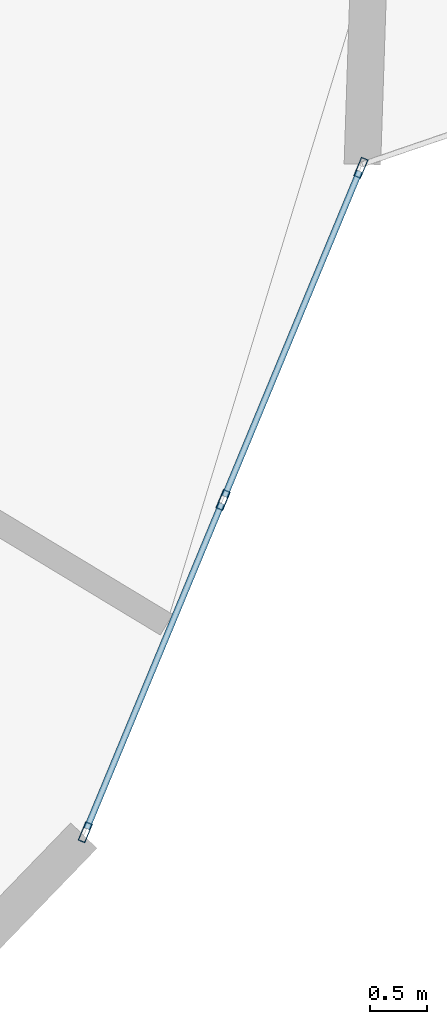
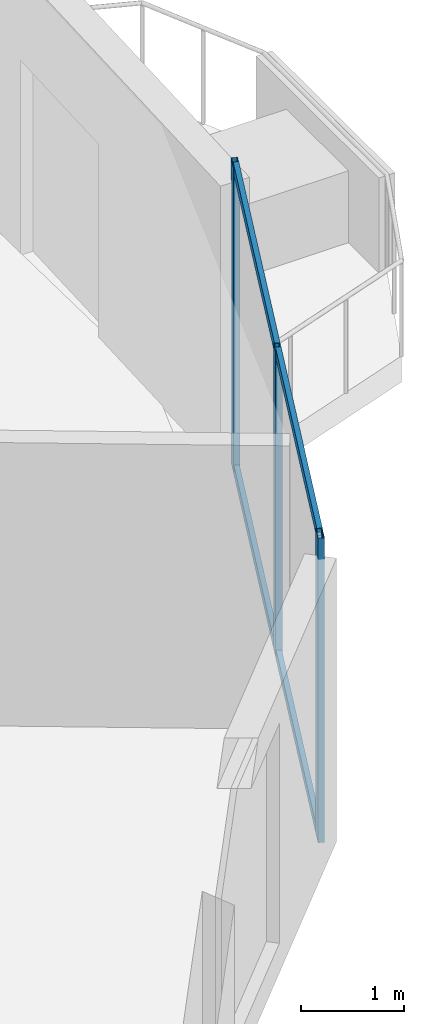
# One storey, part 11 of 26: 7 members, 1 element without a shape of its own.
"""IFC4 building model written with IfcOpenShell, lengths in metres."""

from ifc_helpers import new_model, si_unit, direction, frame, origin, origin_2d, place, context, subcontext, project, spatial, hollow_rectangle, extrude, source, transform, mapped, material, layer, layer_set, material_profile, profile_set, type_object, element, aggregate, save


model = new_model("IFC4")

# Units and contexts
model_context = context("Model", 3, precision=1e-05, world=origin(), true_north=direction((0.0, 1.0)))
body_context = subcontext(model_context, "Body", "Model", "MODEL_VIEW")
ifc_project = project(units=[si_unit("LENGTHUNIT", "METRE"), si_unit("AREAUNIT", "SQUARE_METRE"), si_unit("VOLUMEUNIT", "CUBIC_METRE"), si_unit("PLANEANGLEUNIT", "RADIAN"), si_unit("MASSUNIT", "GRAM", prefix="KILO")], contexts=[model_context])

# Site, building, storey
site_placement = place(None, origin())
site = spatial("IfcSite", under=ifc_project, at=site_placement, CompositionType="ELEMENT")
building_placement = place(site_placement, origin())
building = spatial("IfcBuilding", under=site, at=building_placement, Name="Solvirekh Grand Hotel", CompositionType="ELEMENT")
storey_placement = place(building_placement, frame((0.0, 0.0, 113.39990234375)))
storey = spatial("IfcBuildingStorey", under=building, at=storey_placement, Name="L28", CompositionType="ELEMENT", Elevation=113.39990234375)

# Curtain wall, members
ifc_material = material(Name="Anodized Bronze Aluminium 6063-T6", Category="aluminium")
ifc_layer = layer(ifc_material, 0.175048828125)
ifc_layer_set = layer_set([ifc_layer], Name="Anodized Bronze Aluminium 6063-T6")
curtain_wall_type = type_object("IfcCurtainWallType", Name="CW_Sys3_MidZoneFlushBronzeCW", PredefinedType="NOTDEFINED", material=ifc_layer_set)
curtain_wall_placement = place(storey_placement, origin())
curtain_wall = element("IfcCurtainWall", 1, at=curtain_wall_placement, inside=storey, type_object=curtain_wall_type, Name="L28 unitised bronze-glass curtain wall CW-L28-C01", PredefinedType="NOTDEFINED")
ifc_material_profile_1 = material_profile(ifc_material, hollow_rectangle(XDim=0.054931640625, YDim=0.1201171875, WallThickness=0.00390625, at=origin_2d()), Name="ALU RHS 120X55X4")
ifc_profile_set_1 = profile_set([ifc_material_profile_1], Name="Anodized Bronze Aluminium 6063-T6")
member_type_1 = type_object("IfcMemberType", Name="CWTransom_Sys3", PredefinedType="USERDEFINED", material=ifc_profile_set_1)
shared_shape_1 = source(origin(), body_context, "Body", "SweptSolid", [
    extrude(hollow_rectangle(XDim=0.054931640625, YDim=0.1201171875, WallThickness=0.00390625, at=origin_2d()), origin(), (0.0, 0.0, 1.0), 3.087158203125),
])
member_1_placement = place(storey_placement, frame((19.14794921875, -13.2470703125, 0.027587890625), z_axis=(0.383222387686, 0.923656105689, 0.0), x_axis=(-0.923656105689, 0.383222387686, 0.0)))
member_1 = element("IfcMember", 2, at=member_1_placement, type_object=member_type_1, Name="U03 transom 1.1", ObjectType="TRANSOM", PredefinedType="USERDEFINED", context=body_context, shape_type="MappedRepresentation", body=[
    mapped(shared_shape_1, transform((0.0, 0.0, 0.0), x_axis=(1.0, 0.0, 0.0), y_axis=(0.0, 1.0, 0.0), z_axis=(0.0, 0.0, 1.0), scale=1.0)),
])
member_2_placement = place(storey_placement, frame((19.14794921875, -13.2470703125, 3.572509765625), z_axis=(0.383222387686, 0.923656105689, 0.0), x_axis=(-0.923656105689, 0.383222387686, 0.0)))
member_2 = element("IfcMember", 3, at=member_2_placement, type_object=member_type_1, Name="U03 transom 1.2", ObjectType="TRANSOM", PredefinedType="USERDEFINED", context=body_context, shape_type="MappedRepresentation", body=[
    mapped(shared_shape_1, transform((0.0, 0.0, 0.0), x_axis=(1.0, 0.0, 0.0), y_axis=(0.0, 1.0, 0.0), z_axis=(0.0, 0.0, 1.0), scale=1.0)),
])
ifc_material_profile_2 = material_profile(ifc_material, hollow_rectangle(XDim=0.06494140625, YDim=0.175048828125, WallThickness=0.0048828125, at=origin_2d()), Name="ALU RHS 175X65X5")
ifc_profile_set_2 = profile_set([ifc_material_profile_2], Name="Anodized Bronze Aluminium 6063-T6")
member_type_2 = type_object("IfcMemberType", Name="CWMullion_Sys3", PredefinedType="MULLION", material=ifc_profile_set_2)
shared_shape_2 = source(origin(), body_context, "Body", "SweptSolid", [
    extrude(hollow_rectangle(XDim=0.06494140625, YDim=0.175048828125, WallThickness=0.0048828125, at=origin_2d()), origin(), (0.0, 0.0, 1.0), 3.60009765625),
])
member_3_placement = place(storey_placement, frame((19.135498046875, -13.277099609375, 0.0), z_axis=(0.0, 0.0, 1.0), x_axis=(-0.923647246021, 0.383243740872, 0.0)))
member_3 = element("IfcMember", 4, at=member_3_placement, type_object=member_type_2, Name="U03 mullion 1", PredefinedType="MULLION", context=body_context, shape_type="MappedRepresentation", body=[
    mapped(shared_shape_2, transform((0.0, 0.0, 0.0), x_axis=(1.0, 0.0, 0.0), y_axis=(0.0, 1.0, 0.0), z_axis=(0.0, 0.0, 1.0), scale=1.0)),
])
member_4_placement = place(storey_placement, frame((20.343505859375, -10.365478515625, 0.0), z_axis=(0.0, 0.0, 1.0), x_axis=(-0.923647246021, 0.383243740872, 0.0)))
member_4 = element("IfcMember", 5, at=member_4_placement, type_object=member_type_2, Name="U03 mullion 2", PredefinedType="MULLION", context=body_context, shape_type="MappedRepresentation", body=[
    mapped(shared_shape_2, transform((0.0, 0.0, 0.0), x_axis=(1.0, 0.0, 0.0), y_axis=(0.0, 1.0, 0.0), z_axis=(0.0, 0.0, 1.0), scale=1.0)),
])
member_5_placement = place(storey_placement, frame((21.551513671875, -7.4541015625, 0.0), z_axis=(0.0, 0.0, 1.0), x_axis=(-0.923647246021, 0.383243740872, 0.0)))
member_5 = element("IfcMember", 6, at=member_5_placement, type_object=member_type_2, Name="U03 mullion 3", PredefinedType="MULLION", context=body_context, shape_type="MappedRepresentation", body=[
    mapped(shared_shape_2, transform((0.0, 0.0, 0.0), x_axis=(1.0, 0.0, 0.0), y_axis=(0.0, 1.0, 0.0), z_axis=(0.0, 0.0, 1.0), scale=1.0)),
])
shared_shape_3 = source(origin(), body_context, "Body", "SweptSolid", [
    extrude(hollow_rectangle(XDim=0.054931640625, YDim=0.1201171875, WallThickness=0.00390625, at=origin_2d()), origin(), (0.0, 0.0, 1.0), 3.0869140625),
])
member_6_placement = place(storey_placement, frame((20.35595703125, -10.33544921875, 0.027587890625), z_axis=(0.383250381214, 0.923644490754, 0.0), x_axis=(-0.923644490754, 0.383250381214, 0.0)))
member_6 = element("IfcMember", 7, at=member_6_placement, type_object=member_type_1, Name="U03 transom 2.1", ObjectType="TRANSOM", PredefinedType="USERDEFINED", context=body_context, shape_type="MappedRepresentation", body=[
    mapped(shared_shape_3, transform((0.0, 0.0, 0.0), x_axis=(1.0, 0.0, 0.0), y_axis=(0.0, 1.0, 0.0), z_axis=(0.0, 0.0, 1.0), scale=1.0)),
])
member_7_placement = place(storey_placement, frame((20.35595703125, -10.33544921875, 3.572509765625), z_axis=(0.383250381214, 0.923644490754, 0.0), x_axis=(-0.923644490754, 0.383250381214, 0.0)))
member_7 = element("IfcMember", 8, at=member_7_placement, type_object=member_type_1, Name="U03 transom 2.2", ObjectType="TRANSOM", PredefinedType="USERDEFINED", context=body_context, shape_type="MappedRepresentation", body=[
    mapped(shared_shape_3, transform((0.0, 0.0, 0.0), x_axis=(1.0, 0.0, 0.0), y_axis=(0.0, 1.0, 0.0), z_axis=(0.0, 0.0, 1.0), scale=1.0)),
])
aggregate(curtain_wall, [member_3, member_4, member_5, member_1, member_2, member_6, member_7])

save(model, "model.ifc")
